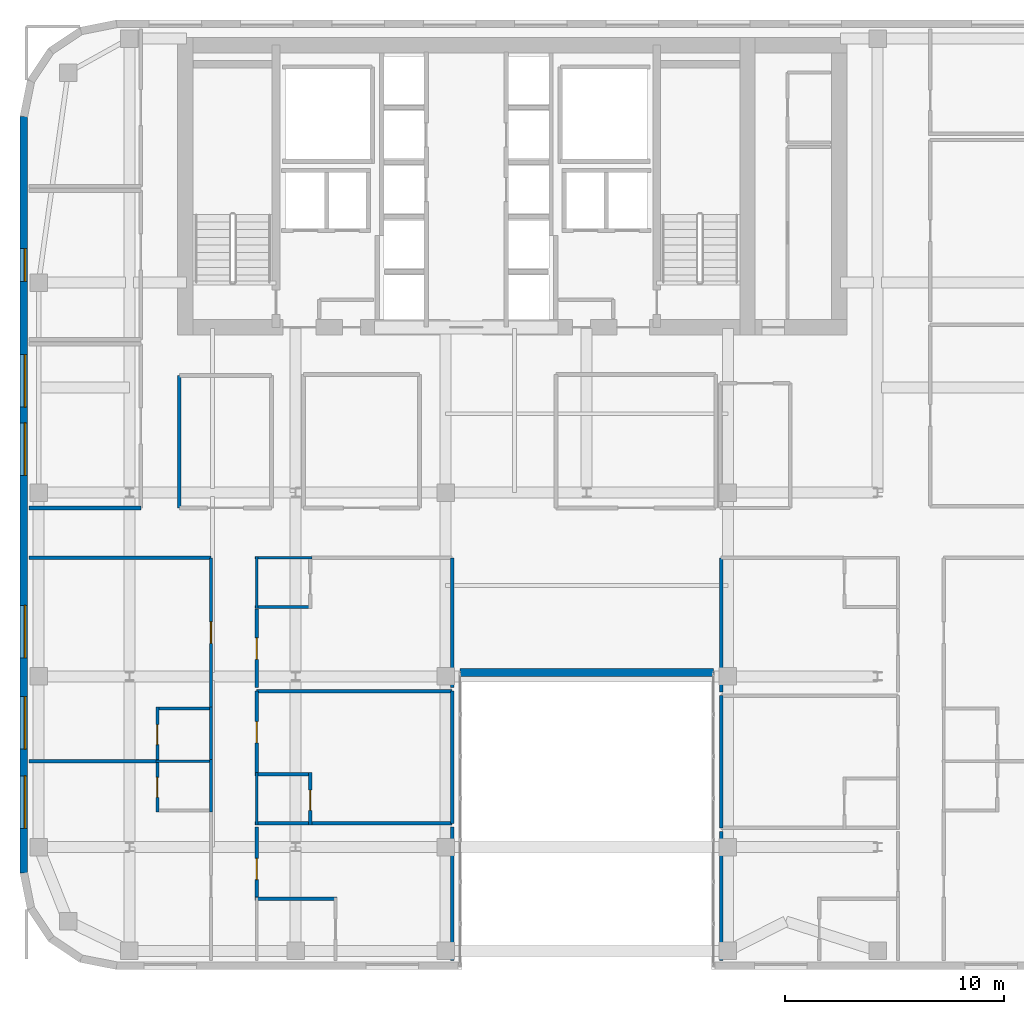
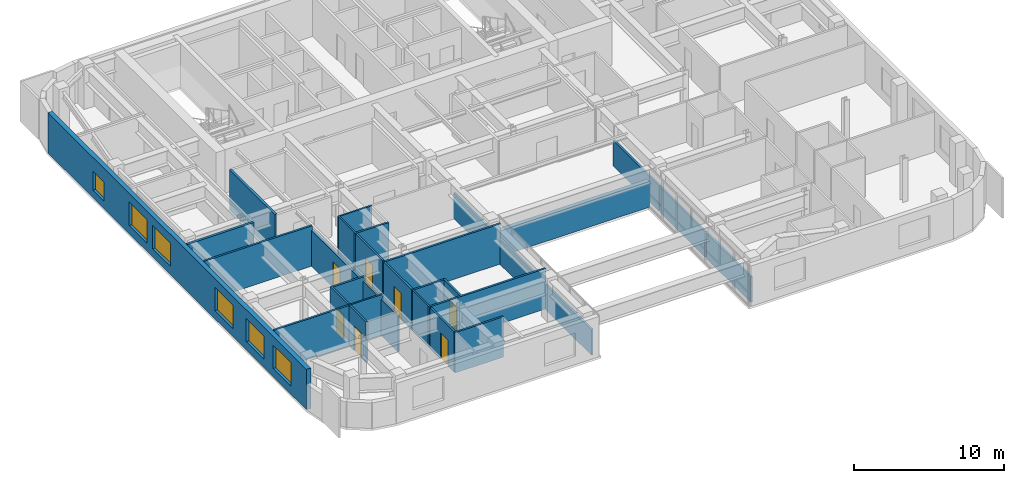
# One storey, part 7 of 13: 31 walls, 7 doors, 6 windows, 13 openings.
"""IFC4 building model written with IfcOpenShell, lengths in metres."""

from ifc_helpers import new_model, si_unit, direction, frame, frame_2d, origin, place, context, subcontext, project, spatial, rectangle, extrude, source, transform, mapped, material, layer, layer_set, type_object, type_shapes, element, fill, save


model = new_model("IFC4")

# Units and contexts
model_context = context("Model", 3, precision=1e-05, world=origin(), true_north=direction((0.0, 1.0)))
body_context = subcontext(model_context, "Body", "Model", "MODEL_VIEW")
ifc_project = project(units=[si_unit("LENGTHUNIT", "METRE"), si_unit("AREAUNIT", "SQUARE_METRE"), si_unit("VOLUMEUNIT", "CUBIC_METRE"), si_unit("PLANEANGLEUNIT", "RADIAN"), si_unit("MASSUNIT", "GRAM", prefix="KILO")], contexts=[model_context])

# Site, building, storey
site_placement = place(None, origin())
site = spatial("IfcSite", under=ifc_project, at=site_placement, CompositionType="ELEMENT")
building_placement = place(site_placement, origin())
building = spatial("IfcBuilding", under=site, at=building_placement, Name="Tolvann Quenvar Hotel", CompositionType="ELEMENT")
storey_placement = place(building_placement, frame((0.0, 0.0, 201.75)))
storey = spatial("IfcBuildingStorey", under=building, at=storey_placement, Name="L53", CompositionType="ELEMENT", Elevation=201.75)

# Wall
ifc_material_1 = material(Name="Kiln-fired red and buff architectural clay brickwork and terracotta masonry", Category="masonry")
ifc_layer_1 = layer(ifc_material_1, 0.35009765625)
ifc_layer_set_1 = layer_set([ifc_layer_1], Name="Kiln-fired red and buff architectural clay brickwork and terracotta masonry")
wall_type_1 = type_object("IfcWallType", Name="WALL_EXT_BRICK_350", PredefinedType="SOLIDWALL", material=ifc_layer_set_1)
wall_1_placement = place(storey_placement, frame((22.7099609375, 16.175048828125, 0.0), z_axis=(0.0, 0.0, 1.0), x_axis=(1.0, 0.0, 0.0)))
element("IfcWall", 1, at=wall_1_placement, inside=storey, type_object=wall_type_1, Name="Exterior Chicago Brick Wall L53-E06", PredefinedType="SOLIDWALL", context=body_context, shape_type="SweptSolid", body=[
    extrude(rectangle(XDim=11.580078125, YDim=0.35009765625, at=frame_2d((5.7900390625, 0.0))), origin(), (0.0, 0.0, 1.0), 2.080078125),
])

# Wall, openings, windows
wall_2_placement = place(storey_placement, frame((2.77490234375, 41.582763671875, 0.0), z_axis=(0.0, 0.0, 1.0), x_axis=(0.0, -1.0, 0.0)))
wall_2 = element("IfcWall", 2, at=wall_2_placement, inside=storey, type_object=wall_type_1, Name="Exterior Chicago Brick Wall L53-E23", PredefinedType="SOLIDWALL", context=body_context, shape_type="SweptSolid", body=[
    extrude(rectangle(XDim=34.565673828125, YDim=0.35009765625, at=frame_2d((17.28271484375, 0.0))), origin(), (0.0, 0.0, 1.0), 3.2900390625),
])
opening_1_placement = place(wall_2_placement, frame((10.876953125, 0.0, 0.679931640625)))
opening_1 = element("IfcOpeningElement", 3, at=opening_1_placement, cuts=wall_2, Name="Opening W-01", PredefinedType="OPENING", context=body_context, shape_type="SweptSolid", body=[
    extrude(rectangle(XDim=2.39990234375, YDim=1.89990234375, at=frame_2d((1.199951171875, 0.949951171875))), frame((0.0, 0.18505859375, 0.0), z_axis=(0.0, -1.0, 0.0), x_axis=(1.0, 0.0, 0.0)), (0.0, 0.0, 1.0), 0.3701171875),
])
opening_2_placement = place(wall_2_placement, frame((13.9970703125, 0.0, 0.679931640625)))
opening_2 = element("IfcOpeningElement", 4, at=opening_2_placement, cuts=wall_2, Name="Opening W-01", PredefinedType="OPENING", context=body_context, shape_type="SweptSolid", body=[
    extrude(rectangle(XDim=2.39990234375, YDim=1.89990234375, at=frame_2d((1.199951171875, 0.949951171875))), frame((0.0, 0.18505859375, 0.0), z_axis=(0.0, -1.0, 0.0), x_axis=(1.0, 0.0, 0.0)), (0.0, 0.0, 1.0), 0.3701171875),
])
opening_3_placement = place(wall_2_placement, frame((22.339111328125, 0.0, 0.679931640625)))
opening_3 = element("IfcOpeningElement", 5, at=opening_3_placement, cuts=wall_2, Name="Opening W-01", PredefinedType="OPENING", context=body_context, shape_type="SweptSolid", body=[
    extrude(rectangle(XDim=2.39990234375, YDim=1.89990234375, at=frame_2d((1.199951171875, 0.949951171875))), frame((0.0, 0.18505859375, 0.0), z_axis=(0.0, -1.0, 0.0), x_axis=(1.0, 0.0, 0.0)), (0.0, 0.0, 1.0), 0.3701171875),
])
opening_4_placement = place(wall_2_placement, frame((26.510009765625, 0.0, 0.679931640625)))
opening_4 = element("IfcOpeningElement", 6, at=opening_4_placement, cuts=wall_2, Name="Opening W-01", PredefinedType="OPENING", context=body_context, shape_type="SweptSolid", body=[
    extrude(rectangle(XDim=2.39990234375, YDim=1.89990234375, at=frame_2d((1.199951171875, 0.949951171875))), frame((0.0, 0.18505859375, 0.0), z_axis=(0.0, -1.0, 0.0), x_axis=(1.0, 0.0, 0.0)), (0.0, 0.0, 1.0), 0.3701171875),
])
opening_5_placement = place(wall_2_placement, frame((30.1298828125, 0.0, 0.679931640625)))
opening_5 = element("IfcOpeningElement", 7, at=opening_5_placement, cuts=wall_2, Name="Opening W-01", PredefinedType="OPENING", context=body_context, shape_type="SweptSolid", body=[
    extrude(rectangle(XDim=2.39990234375, YDim=1.89990234375, at=frame_2d((1.199951171875, 0.949951171875))), frame((0.0, 0.18505859375, 0.0), z_axis=(0.0, -1.0, 0.0), x_axis=(1.0, 0.0, 0.0)), (0.0, 0.0, 1.0), 0.3701171875),
])
opening_6_placement = place(wall_2_placement, frame((6.032958984375, 0.0, 0.6201171875)))
opening_6 = element("IfcOpeningElement", 8, at=opening_6_placement, cuts=wall_2, Name="Opening W-08", PredefinedType="OPENING", context=body_context, shape_type="SweptSolid", body=[
    extrude(rectangle(XDim=1.5, YDim=1.550048828125, at=frame_2d((0.75, 0.77490234375))), frame((0.0, 0.18505859375, 0.0), z_axis=(0.0, -1.0, 0.0), x_axis=(1.0, 0.0, 0.0)), (0.0, 0.0, 1.0), 0.3701171875),
])
ifc_material_2 = material(Name="Thermally broken bronze-anodised aluminium frame with double low-E glazing", Category="aluminium")
window_type_1 = type_object("IfcWindowType", Name="WIN_COR_1500x2050", PartitioningType="SINGLE_PANEL", PredefinedType="WINDOW", material=ifc_material_2)
shared_shape_1 = source(origin(), body_context, "Body", "SweptSolid", [
    extrude(rectangle(XDim=1.5, YDim=1.550048828125, at=frame_2d((0.75, 0.77490234375))), frame((0.0, 0.090087890625, 0.0), z_axis=(0.0, -1.0, 0.0), x_axis=(1.0, 0.0, 0.0)), (0.0, 0.0, 1.0), 0.06005859375),
])
type_shapes(window_type_1, [shared_shape_1])
window_1_placement = place(opening_6_placement, origin())
window_1 = element("IfcWindow", 9, at=window_1_placement, inside=storey, type_object=window_type_1, Name="Chicago Window W-08 (EW-L53-E23-WD06)", OverallHeight=1.550048828125, OverallWidth=1.5, PartitioningType="SINGLE_PANEL", PredefinedType="WINDOW", context=body_context, shape_type="MappedRepresentation", body=[
    mapped(shared_shape_1, transform((0.0, 0.0, 0.0), x_axis=(1.0, 0.0, 0.0), y_axis=(0.0, 1.0, 0.0), z_axis=(0.0, 0.0, 1.0), scale=1.0)),
])
fill(opening_6, window_1)
window_type_2 = type_object("IfcWindowType", Name="WIN_CHI_2400x2050", PartitioningType="TRIPLE_PANEL_HORIZONTAL", PredefinedType="WINDOW", material=ifc_material_2)
shared_shape_2 = source(origin(), body_context, "Body", "SweptSolid", [
    extrude(rectangle(XDim=2.39990234375, YDim=1.89990234375, at=frame_2d((1.199951171875, 0.949951171875))), frame((0.0, 0.090087890625, 0.0), z_axis=(0.0, -1.0, 0.0), x_axis=(1.0, 0.0, 0.0)), (0.0, 0.0, 1.0), 0.06005859375),
])
type_shapes(window_type_2, [shared_shape_2])
window_2_placement = place(opening_1_placement, origin())
window_2 = element("IfcWindow", 10, at=window_2_placement, inside=storey, type_object=window_type_2, Name="Chicago Window W-01 (EW-L53-E23-W01)", OverallHeight=1.89990234375, OverallWidth=2.39990234375, PartitioningType="TRIPLE_PANEL_HORIZONTAL", PredefinedType="WINDOW", context=body_context, shape_type="MappedRepresentation", body=[
    mapped(shared_shape_2, transform((0.0, 0.0, 0.0), x_axis=(1.0, 0.0, 0.0), y_axis=(0.0, 1.0, 0.0), z_axis=(0.0, 0.0, 1.0), scale=1.0)),
])
fill(opening_1, window_2)
window_3_placement = place(opening_2_placement, origin())
window_3 = element("IfcWindow", 11, at=window_3_placement, inside=storey, type_object=window_type_2, Name="Chicago Window W-01 (EW-L53-E23-W02)", OverallHeight=1.89990234375, OverallWidth=2.39990234375, PartitioningType="TRIPLE_PANEL_HORIZONTAL", PredefinedType="WINDOW", context=body_context, shape_type="MappedRepresentation", body=[
    mapped(shared_shape_2, transform((0.0, 0.0, 0.0), x_axis=(1.0, 0.0, 0.0), y_axis=(0.0, 1.0, 0.0), z_axis=(0.0, 0.0, 1.0), scale=1.0)),
])
fill(opening_2, window_3)
window_4_placement = place(opening_3_placement, origin())
window_4 = element("IfcWindow", 12, at=window_4_placement, inside=storey, type_object=window_type_2, Name="Chicago Window W-01 (EW-L53-E23-W03)", OverallHeight=1.89990234375, OverallWidth=2.39990234375, PartitioningType="TRIPLE_PANEL_HORIZONTAL", PredefinedType="WINDOW", context=body_context, shape_type="MappedRepresentation", body=[
    mapped(shared_shape_2, transform((0.0, 0.0, 0.0), x_axis=(1.0, 0.0, 0.0), y_axis=(0.0, 1.0, 0.0), z_axis=(0.0, 0.0, 1.0), scale=1.0)),
])
fill(opening_3, window_4)
window_5_placement = place(opening_4_placement, origin())
window_5 = element("IfcWindow", 13, at=window_5_placement, inside=storey, type_object=window_type_2, Name="Chicago Window W-01 (EW-L53-E23-W04)", OverallHeight=1.89990234375, OverallWidth=2.39990234375, PartitioningType="TRIPLE_PANEL_HORIZONTAL", PredefinedType="WINDOW", context=body_context, shape_type="MappedRepresentation", body=[
    mapped(shared_shape_2, transform((0.0, 0.0, 0.0), x_axis=(1.0, 0.0, 0.0), y_axis=(0.0, 1.0, 0.0), z_axis=(0.0, 0.0, 1.0), scale=1.0)),
])
fill(opening_4, window_5)
window_6_placement = place(opening_5_placement, origin())
window_6 = element("IfcWindow", 14, at=window_6_placement, inside=storey, type_object=window_type_2, Name="Chicago Window W-01 (EW-L53-E23-W05)", OverallHeight=1.89990234375, OverallWidth=2.39990234375, PartitioningType="TRIPLE_PANEL_HORIZONTAL", PredefinedType="WINDOW", context=body_context, shape_type="MappedRepresentation", body=[
    mapped(shared_shape_2, transform((0.0, 0.0, 0.0), x_axis=(1.0, 0.0, 0.0), y_axis=(0.0, 1.0, 0.0), z_axis=(0.0, 0.0, 1.0), scale=1.0)),
])
fill(opening_5, window_6)

# Walls
ifc_material_3 = material(Name="Acoustic twin-stud fire-rated gypsum plasterboard partition")
ifc_layer_2 = layer(ifc_material_3, 0.179931640625)
ifc_layer_set_2 = layer_set([ifc_layer_2], Name="Acoustic twin-stud fire-rated gypsum plasterboard partition")
wall_type_2 = type_object("IfcWallType", Name="WALL_PART_ACOUSTIC_180", PredefinedType="PARTITIONING", material=ifc_layer_set_2)
wall_3_placement = place(storey_placement, frame((3.0048828125, 23.699951171875, 0.0), z_axis=(0.0, 0.0, 1.0), x_axis=(1.0, 0.0, 0.0)))
element("IfcWall", 15, at=wall_3_placement, inside=storey, type_object=wall_type_2, Name="Interior Partition PT-SPC-L53-SAL-S", PredefinedType="PARTITIONING", context=body_context, shape_type="SweptSolid", body=[
    extrude(rectangle(XDim=5.115234375, YDim=0.179931640625, at=frame_2d((2.5576171875, 0.0))), origin(), (0.0, 0.0, 1.0), 3.2900390625),
])
wall_4_placement = place(storey_placement, frame((9.8798828125, 23.699951171875, 0.0), z_axis=(0.0, 0.0, 1.0), x_axis=(0.0, 1.0, 0.0)))
element("IfcWall", 16, at=wall_4_placement, inside=storey, type_object=wall_type_2, Name="Interior Partition PT-SPC-L53-MSP-W-W", PredefinedType="PARTITIONING", context=body_context, shape_type="SweptSolid", body=[
    extrude(rectangle(XDim=6.050048828125, YDim=0.179931640625, at=frame_2d((3.02490234375, 0.0))), origin(), (0.0, 0.0, 1.0), 3.2900390625),
])
ifc_material_4 = material(Name="Moisture-resistant acoustic plumbing wall assembly")
ifc_layer_3 = layer(ifc_material_4, 0.1201171875)
ifc_layer_set_3 = layer_set([ifc_layer_3], Name="Moisture-resistant acoustic plumbing wall assembly")
wall_type_3 = type_object("IfcWallType", Name="WALL_PART_BATH_120", PredefinedType="PLUMBINGWALL", material=ifc_layer_set_3)
wall_5_placement = place(storey_placement, frame((8.81005859375, 12.1201171875, 0.0), z_axis=(0.0, 0.0, 1.0), x_axis=(1.0, 0.0, 0.0)))
element("IfcWall", 17, at=wall_5_placement, inside=storey, type_object=wall_type_3, Name="Non-Rated Plumbing Partition PT-SPC-L53-ENS-WO01-N", PredefinedType="PLUMBINGWALL", context=body_context, shape_type="SweptSolid", body=[
    extrude(rectangle(XDim=2.58984375, YDim=0.1201171875, at=frame_2d((1.294921875, 0.0))), origin(), (0.0, 0.0, 1.0), 3.2900390625),
])
wall_6_placement = place(storey_placement, frame((11.330078125, 9.800048828125, 0.0), z_axis=(0.0, 0.0, 1.0), x_axis=(0.0, 1.0, 0.0)))
element("IfcWall", 18, at=wall_6_placement, inside=storey, type_object=wall_type_3, Name="Non-Rated Plumbing Partition PT-SPC-L53-ENS-WO01-E", PredefinedType="PLUMBINGWALL", context=body_context, shape_type="SweptSolid", body=[
    extrude(rectangle(XDim=2.389892578125, YDim=0.1201171875, at=frame_2d((1.19482421875, 0.0))), origin(), (0.0, 0.0, 1.0), 2.9208984375),
])
wall_7_placement = place(storey_placement, frame((11.330078125, 12.2099609375, 0.0), z_axis=(0.0, 0.0, 1.0), x_axis=(0.0, 1.0, 0.0)))
element("IfcWall", 19, at=wall_7_placement, inside=storey, type_object=wall_type_3, Name="Non-Rated Plumbing Partition PT-SPC-L53-ENS-WO02-E", PredefinedType="PLUMBINGWALL", context=body_context, shape_type="SweptSolid", body=[
    extrude(rectangle(XDim=2.39013671875, YDim=0.1201171875, at=frame_2d((1.195068359375, 0.0))), origin(), (0.0, 0.0, 1.0), 2.9208984375),
])
wall_8_placement = place(storey_placement, frame((13.419921875, 9.2099609375, 0.0), z_axis=(0.0, 0.0, 1.0), x_axis=(0.0, 1.0, 0.0)))
element("IfcWall", 20, at=wall_8_placement, inside=storey, type_object=wall_type_3, Name="Non-Rated Plumbing Partition PT-SPC-L53-ENS-WI02-W", PredefinedType="PLUMBINGWALL", context=body_context, shape_type="SweptSolid", body=[
    extrude(rectangle(XDim=2.39013671875, YDim=0.1201171875, at=frame_2d((1.195068359375, 0.0))), origin(), (0.0, 0.0, 1.0), 3.2900390625),
])
wall_9_placement = place(storey_placement, frame((13.35009765625, 21.419921875, 0.0), z_axis=(0.0, 0.0, 1.0), x_axis=(1.0, 0.0, 0.0)))
element("IfcWall", 21, at=wall_9_placement, inside=storey, type_object=wall_type_3, Name="Non-Rated Plumbing Partition PT-SPC-L53-ENS-WI03-N", PredefinedType="PLUMBINGWALL", context=body_context, shape_type="SweptSolid", body=[
    extrude(rectangle(XDim=2.58984375, YDim=0.1201171875, at=frame_2d((1.294921875, 0.0))), origin(), (0.0, 0.0, 1.0), 3.2900390625),
])
wall_10_placement = place(storey_placement, frame((13.419921875, 19.10009765625, 0.0), z_axis=(0.0, 0.0, 1.0), x_axis=(0.0, 1.0, 0.0)))
element("IfcWall", 22, at=wall_10_placement, inside=storey, type_object=wall_type_3, Name="Non-Rated Plumbing Partition PT-SPC-L53-ENS-WI03-W", PredefinedType="PLUMBINGWALL", context=body_context, shape_type="SweptSolid", body=[
    extrude(rectangle(XDim=2.389892578125, YDim=0.1201171875, at=frame_2d((1.19482421875, 0.0))), origin(), (0.0, 0.0, 1.0), 3.2900390625),
])

# Wall, opening, door
ifc_layer_4 = layer(ifc_material_3, 0.14990234375)
ifc_layer_set_4 = layer_set([ifc_layer_4], Name="Acoustic twin-stud fire-rated gypsum plasterboard partition")
wall_type_4 = type_object("IfcWallType", Name="WALL_PART_SUITE_150", PredefinedType="PARTITIONING", material=ifc_layer_set_4)
wall_11_placement = place(storey_placement, frame((8.8798828125, 9.800048828125, 0.0), z_axis=(0.0, 0.0, 1.0), x_axis=(0.0, 1.0, 0.0)))
wall_11 = element("IfcWall", 23, at=wall_11_placement, inside=storey, type_object=wall_type_4, Name="Interior Partition PT-SPC-L53-ENS-WO01-ENT", PredefinedType="PARTITIONING", context=body_context, shape_type="SweptSolid", body=[
    extrude(rectangle(XDim=2.389892578125, YDim=0.14990234375, at=frame_2d((1.19482421875, 0.0))), origin(), (0.0, 0.0, 1.0), 3.2900390625),
])
opening_7_placement = place(wall_11_placement, frame((0.6650390625, 0.0, 0.0)))
opening_7 = element("IfcOpeningElement", 24, at=opening_7_placement, cuts=wall_11, Name="Opening WD-01", PredefinedType="OPENING", context=body_context, shape_type="SweptSolid", body=[
    extrude(rectangle(XDim=0.919921875, YDim=2.010009765625, at=frame_2d((0.4599609375, 1.0048828125))), frame((0.0, 0.0849609375, 0.0), z_axis=(0.0, -1.0, 0.0), x_axis=(1.0, 0.0, 0.0)), (0.0, 0.0, 1.0), 0.169921875),
])
ifc_material_5 = material(Name="Solid-core American oak acoustic fire door leaf in steel frame", Category="steel")
door_type_1 = type_object("IfcDoorType", Name="DOOR_WC_920", OperationType="NOTDEFINED", PredefinedType="DOOR", material=ifc_material_5)
shared_shape_3 = source(origin(), body_context, "Body", "SweptSolid", [
    extrude(rectangle(XDim=0.919921875, YDim=2.010009765625, at=frame_2d((0.4599609375, 1.0048828125))), frame((0.0, 0.02490234375, 0.0), z_axis=(0.0, -1.0, 0.0), x_axis=(1.0, 0.0, 0.0)), (0.0, 0.0, 1.0), 0.050048828125),
])
type_shapes(door_type_1, [shared_shape_3])
door_1_placement = place(opening_7_placement, origin())
door_1 = element("IfcDoor", 25, at=door_1_placement, inside=storey, type_object=door_type_1, Name="Interior Door DOOR-SPC-L53-ENS-WO01", OperationType="SINGLE_SWING_LEFT", OverallHeight=2.010009765625, OverallWidth=0.919921875, PredefinedType="DOOR", context=body_context, shape_type="MappedRepresentation", body=[
    mapped(shared_shape_3, transform((0.0, 0.0, 0.0), x_axis=(1.0, 0.0, 0.0), y_axis=(0.0, 1.0, 0.0), z_axis=(0.0, 0.0, 1.0), scale=1.0)),
])
fill(opening_7, door_1)

wall_12_placement = place(storey_placement, frame((8.8798828125, 12.2099609375, 0.0), z_axis=(0.0, 0.0, 1.0), x_axis=(0.0, 1.0, 0.0)))
wall_12 = element("IfcWall", 26, at=wall_12_placement, inside=storey, type_object=wall_type_4, Name="Interior Partition PT-SPC-L53-ENS-WO02-ENT", PredefinedType="PARTITIONING", context=body_context, shape_type="SweptSolid", body=[
    extrude(rectangle(XDim=2.39013671875, YDim=0.14990234375, at=frame_2d((1.195068359375, 0.0))), origin(), (0.0, 0.0, 1.0), 3.2900390625),
])
opening_8_placement = place(wall_12_placement, frame((0.6650390625, 0.0, 0.0)))
opening_8 = element("IfcOpeningElement", 27, at=opening_8_placement, cuts=wall_12, Name="Opening WD-01", PredefinedType="OPENING", context=body_context, shape_type="SweptSolid", body=[
    extrude(rectangle(XDim=0.919921875, YDim=2.010009765625, at=frame_2d((0.4599609375, 1.0048828125))), frame((0.0, 0.0849609375, 0.0), z_axis=(0.0, -1.0, 0.0), x_axis=(1.0, 0.0, 0.0)), (0.0, 0.0, 1.0), 0.169921875),
])
door_2_placement = place(opening_8_placement, origin())
door_2 = element("IfcDoor", 28, at=door_2_placement, inside=storey, type_object=door_type_1, Name="Interior Door DOOR-SPC-L53-ENS-WO02", OperationType="SINGLE_SWING_RIGHT", OverallHeight=2.010009765625, OverallWidth=0.919921875, PredefinedType="DOOR", context=body_context, shape_type="MappedRepresentation", body=[
    mapped(shared_shape_3, transform((0.0, 0.0, 0.0), x_axis=(1.0, 0.0, 0.0), y_axis=(0.0, 1.0, 0.0), z_axis=(0.0, 0.0, 1.0), scale=1.0)),
])
fill(opening_8, door_2)

# Walls
wall_13_placement = place(storey_placement, frame((8.81005859375, 14.530029296875, 0.0), z_axis=(0.0, 0.0, 1.0), x_axis=(1.0, 0.0, 0.0)))
element("IfcWall", 29, at=wall_13_placement, inside=storey, type_object=wall_type_4, Name="Interior Partition PT-SPC-L53-ENS-WO02-N", PredefinedType="PARTITIONING", context=body_context, shape_type="SweptSolid", body=[
    extrude(rectangle(XDim=2.58984375, YDim=0.14990234375, at=frame_2d((1.294921875, 0.0))), origin(), (0.0, 0.0, 1.0), 3.2900390625),
])
wall_14_placement = place(storey_placement, frame((13.35009765625, 5.830078125, 0.0), z_axis=(0.0, 0.0, 1.0), x_axis=(1.0, 0.0, 0.0)))
element("IfcWall", 30, at=wall_14_placement, inside=storey, type_object=wall_type_4, Name="Interior Partition PT-SPC-L53-ENS-WI01-N", PredefinedType="PARTITIONING", context=body_context, shape_type="SweptSolid", body=[
    extrude(rectangle(XDim=3.739990234375, YDim=0.14990234375, at=frame_2d((1.8701171875, 0.0))), origin(), (0.0, 0.0, 1.0), 3.2900390625),
])

# Wall, opening, door
wall_15_placement = place(storey_placement, frame((15.8701171875, 9.2099609375, 0.0), z_axis=(0.0, 0.0, 1.0), x_axis=(0.0, 1.0, 0.0)))
wall_15 = element("IfcWall", 31, at=wall_15_placement, inside=storey, type_object=wall_type_4, Name="Interior Partition PT-SPC-L53-ENS-WI02-ENT", PredefinedType="PARTITIONING", context=body_context, shape_type="SweptSolid", body=[
    extrude(rectangle(XDim=2.39013671875, YDim=0.14990234375, at=frame_2d((1.195068359375, 0.0))), origin(), (0.0, 0.0, 1.0), 3.2900390625),
])
opening_9_placement = place(wall_15_placement, frame((0.6650390625, 0.0, 0.0)))
opening_9 = element("IfcOpeningElement", 32, at=opening_9_placement, cuts=wall_15, Name="Opening WD-01", PredefinedType="OPENING", context=body_context, shape_type="SweptSolid", body=[
    extrude(rectangle(XDim=0.919921875, YDim=2.010009765625, at=frame_2d((0.4599609375, 1.0048828125))), frame((0.0, 0.0849609375, 0.0), z_axis=(0.0, -1.0, 0.0), x_axis=(1.0, 0.0, 0.0)), (0.0, 0.0, 1.0), 0.169921875),
])
door_3_placement = place(opening_9_placement, origin())
door_3 = element("IfcDoor", 33, at=door_3_placement, inside=storey, type_object=door_type_1, Name="Interior Door DOOR-SPC-L53-ENS-WI02", OperationType="SINGLE_SWING_RIGHT", OverallHeight=2.010009765625, OverallWidth=0.919921875, PredefinedType="DOOR", context=body_context, shape_type="MappedRepresentation", body=[
    mapped(shared_shape_3, transform((0.0, 0.0, 0.0), x_axis=(1.0, 0.0, 0.0), y_axis=(0.0, 1.0, 0.0), z_axis=(0.0, 0.0, 1.0), scale=1.0)),
])
fill(opening_9, door_3)

# Walls
wall_16_placement = place(storey_placement, frame((13.35009765625, 9.280029296875, 0.0), z_axis=(0.0, 0.0, 1.0), x_axis=(1.0, 0.0, 0.0)))
element("IfcWall", 34, at=wall_16_placement, inside=storey, type_object=wall_type_4, Name="Interior Partition PT-SPC-L53-ENS-WI02-S", PredefinedType="PARTITIONING", context=body_context, shape_type="SweptSolid", body=[
    extrude(rectangle(XDim=9.0, YDim=0.14990234375, at=frame_2d((4.5, 0.0))), origin(), (0.0, 0.0, 1.0), 3.2900390625),
])
for number, where, z_axis, x_axis, name in (
    (35, (13.35009765625, 11.530029296875, 0.0), (0.0, 0.0, 1.0), (1.0, 0.0, 0.0), "Interior Partition PT-SPC-L53-ENS-WI02-N"),
    (36, (13.35009765625, 19.169921875, 0.0), (0.0, 0.0, 1.0), (1.0, 0.0, 0.0), "Interior Partition PT-SPC-L53-ENS-WI03-S"),
):
    element("IfcWall", number, at=place(storey_placement, frame(where, z_axis=z_axis, x_axis=x_axis)), inside=storey, type_object=wall_type_4, Name=name, PredefinedType="PARTITIONING", context=body_context, shape_type="SweptSolid", body=[
        extrude(rectangle(XDim=2.58984375, YDim=0.14990234375, at=frame_2d((1.294921875, 0.0))), origin(), (0.0, 0.0, 1.0), 3.2900390625),
    ])
wall_17_placement = place(storey_placement, frame((3.0048828125, 12.1201171875, 0.0), z_axis=(0.0, 0.0, 1.0), x_axis=(1.0, 0.0, 0.0)))
element("IfcWall", 37, at=wall_17_placement, inside=storey, type_object=wall_type_4, Name="Interior Partition PT-SPC-L53-RM-WO01-E5", PredefinedType="PARTITIONING", context=body_context, shape_type="SweptSolid", body=[
    extrude(rectangle(XDim=5.855224609375, YDim=0.14990234375, at=frame_2d((2.927734375, 0.0))), origin(), (0.0, 0.0, 1.0), 3.2900390625),
])

# Wall, opening, door
wall_18_placement = place(storey_placement, frame((11.330078125, 14.610107421875, 0.0), z_axis=(0.0, 0.0, 1.0), x_axis=(0.0, 1.0, 0.0)))
wall_18 = element("IfcWall", 38, at=wall_18_placement, inside=storey, type_object=wall_type_4, Name="Interior Partition PT-SPC-L53-RM-WO02-ENT", PredefinedType="PARTITIONING", context=body_context, shape_type="SweptSolid", body=[
    extrude(rectangle(XDim=6.809814453125, YDim=0.14990234375, at=frame_2d((3.40478515625, 0.0))), origin(), (0.0, 0.0, 1.0), 2.9208984375),
])
opening_10_placement = place(wall_18_placement, frame((2.89501953125, 0.0, 0.0)))
opening_10 = element("IfcOpeningElement", 39, at=opening_10_placement, cuts=wall_18, Name="Opening SD-01", PredefinedType="OPENING", context=body_context, shape_type="SweptSolid", body=[
    extrude(rectangle(XDim=0.97998046875, YDim=2.1201171875, at=frame_2d((0.489990234375, 1.06005859375))), frame((0.0, 0.0849609375, 0.0), z_axis=(0.0, -1.0, 0.0), x_axis=(1.0, 0.0, 0.0)), (0.0, 0.0, 1.0), 0.169921875),
])
door_type_2 = type_object("IfcDoorType", Name="DOOR_SUITE_980", OperationType="NOTDEFINED", PredefinedType="DOOR", material=ifc_material_5)
shared_shape_4 = source(origin(), body_context, "Body", "SweptSolid", [
    extrude(rectangle(XDim=0.97998046875, YDim=2.1201171875, at=frame_2d((0.489990234375, 1.06005859375))), frame((0.0, 0.02490234375, 0.0), z_axis=(0.0, -1.0, 0.0), x_axis=(1.0, 0.0, 0.0)), (0.0, 0.0, 1.0), 0.050048828125),
])
type_shapes(door_type_2, [shared_shape_4])
door_4_placement = place(opening_10_placement, origin())
door_4 = element("IfcDoor", 40, at=door_4_placement, inside=storey, type_object=door_type_2, Name="Interior Door DOOR-SPC-L53-RM-WO02", OperationType="SINGLE_SWING_RIGHT", OverallHeight=2.1201171875, OverallWidth=0.97998046875, PredefinedType="DOOR", context=body_context, shape_type="MappedRepresentation", body=[
    mapped(shared_shape_4, transform((0.0, 0.0, 0.0), x_axis=(1.0, 0.0, 0.0), y_axis=(0.0, 1.0, 0.0), z_axis=(0.0, 0.0, 1.0), scale=1.0)),
])
fill(opening_10, door_4)

# Wall
wall_19_placement = place(storey_placement, frame((3.0048828125, 21.419921875, 0.0), z_axis=(0.0, 0.0, 1.0), x_axis=(1.0, 0.0, 0.0)))
element("IfcWall", 41, at=wall_19_placement, inside=storey, type_object=wall_type_4, Name="Interior Partition PT-SPC-L53-RM-WO02-E5", PredefinedType="PARTITIONING", context=body_context, shape_type="SweptSolid", body=[
    extrude(rectangle(XDim=8.3251953125, YDim=0.14990234375, at=frame_2d((4.16259765625, 0.0))), origin(), (0.0, 0.0, 1.0), 3.2900390625),
])

# Wall, opening, door
wall_20_placement = place(storey_placement, frame((13.419921875, 5.909912109375, 0.0), z_axis=(0.0, 0.0, 1.0), x_axis=(0.0, 1.0, 0.0)))
wall_20 = element("IfcWall", 42, at=wall_20_placement, inside=storey, type_object=wall_type_4, Name="Interior Partition PT-SPC-L53-RM-WI01-ENT", PredefinedType="PARTITIONING", context=body_context, shape_type="SweptSolid", body=[
    extrude(rectangle(XDim=3.210205078125, YDim=0.14990234375, at=frame_2d((1.60498046875, 0.0))), origin(), (0.0, 0.0, 1.0), 3.2900390625),
])
opening_11_placement = place(wall_20_placement, frame((0.794921875, 0.0, 0.0)))
opening_11 = element("IfcOpeningElement", 43, at=opening_11_placement, cuts=wall_20, Name="Opening SD-01", PredefinedType="OPENING", context=body_context, shape_type="SweptSolid", body=[
    extrude(rectangle(XDim=0.97998046875, YDim=2.1201171875, at=frame_2d((0.489990234375, 1.06005859375))), frame((0.0, 0.0849609375, 0.0), z_axis=(0.0, -1.0, 0.0), x_axis=(1.0, 0.0, 0.0)), (0.0, 0.0, 1.0), 0.169921875),
])
door_5_placement = place(opening_11_placement, origin())
door_5 = element("IfcDoor", 44, at=door_5_placement, inside=storey, type_object=door_type_2, Name="Interior Door DOOR-SPC-L53-RM-WI01", OperationType="SINGLE_SWING_LEFT", OverallHeight=2.1201171875, OverallWidth=0.97998046875, PredefinedType="DOOR", context=body_context, shape_type="MappedRepresentation", body=[
    mapped(shared_shape_4, transform((0.0, 0.0, 0.0), x_axis=(1.0, 0.0, 0.0), y_axis=(0.0, 1.0, 0.0), z_axis=(0.0, 0.0, 1.0), scale=1.0)),
])
fill(opening_11, door_5)

# Wall
wall_21_placement = place(storey_placement, frame((22.35009765625, 3.0048828125, 0.0), z_axis=(0.0, 0.0, 1.0), x_axis=(0.0, 1.0, 0.0)))
element("IfcWall", 45, at=wall_21_placement, inside=storey, type_object=wall_type_4, Name="Interior Partition PT-SPC-L53-RM-WI01-E4", PredefinedType="PARTITIONING", context=body_context, shape_type="SweptSolid", body=[
    extrude(rectangle(XDim=6.115234375, YDim=0.14990234375, at=frame_2d((3.0576171875, 0.0))), origin(), (0.0, 0.0, 1.0), 2.080078125),
])

# Wall, opening, door
wall_22_placement = place(storey_placement, frame((13.419921875, 11.610107421875, 0.0), z_axis=(0.0, 0.0, 1.0), x_axis=(0.0, 1.0, 0.0)))
wall_22 = element("IfcWall", 46, at=wall_22_placement, inside=storey, type_object=wall_type_4, Name="Interior Partition PT-SPC-L53-RM-WI02-ENT", PredefinedType="PARTITIONING", context=body_context, shape_type="SweptSolid", body=[
    extrude(rectangle(XDim=3.7099609375, YDim=0.14990234375, at=frame_2d((1.85498046875, 0.0))), origin(), (0.0, 0.0, 1.0), 3.2900390625),
])
opening_12_placement = place(wall_22_placement, frame((1.344970703125, 0.0, 0.0)))
opening_12 = element("IfcOpeningElement", 47, at=opening_12_placement, cuts=wall_22, Name="Opening SD-01", PredefinedType="OPENING", context=body_context, shape_type="SweptSolid", body=[
    extrude(rectangle(XDim=0.97998046875, YDim=2.1201171875, at=frame_2d((0.489990234375, 1.06005859375))), frame((0.0, 0.0849609375, 0.0), z_axis=(0.0, -1.0, 0.0), x_axis=(1.0, 0.0, 0.0)), (0.0, 0.0, 1.0), 0.169921875),
])
door_6_placement = place(opening_12_placement, origin())
door_6 = element("IfcDoor", 48, at=door_6_placement, inside=storey, type_object=door_type_2, Name="Interior Door DOOR-SPC-L53-RM-WI02", OperationType="SINGLE_SWING_RIGHT", OverallHeight=2.1201171875, OverallWidth=0.97998046875, PredefinedType="DOOR", context=body_context, shape_type="MappedRepresentation", body=[
    mapped(shared_shape_4, transform((0.0, 0.0, 0.0), x_axis=(1.0, 0.0, 0.0), y_axis=(0.0, 1.0, 0.0), z_axis=(0.0, 0.0, 1.0), scale=1.0)),
])
fill(opening_12, door_6)

# Walls
wall_23_placement = place(storey_placement, frame((22.35009765625, 9.280029296875, 0.0), z_axis=(0.0, 0.0, 1.0), x_axis=(0.0, 1.0, 0.0)))
element("IfcWall", 49, at=wall_23_placement, inside=storey, type_object=wall_type_4, Name="Interior Partition PT-SPC-L53-RM-WI02-E4", PredefinedType="PARTITIONING", context=body_context, shape_type="SweptSolid", body=[
    extrude(rectangle(XDim=6.0400390625, YDim=0.14990234375, at=frame_2d((3.02001953125, 0.0))), origin(), (0.0, 0.0, 1.0), 2.080078125),
])
wall_24_placement = place(storey_placement, frame((13.419921875, 15.320068359375, 0.0), z_axis=(0.0, 0.0, 1.0), x_axis=(1.0, 0.0, 0.0)))
element("IfcWall", 50, at=wall_24_placement, inside=storey, type_object=wall_type_4, Name="Interior Partition PT-SPC-L53-RM-WI02-E5", PredefinedType="PARTITIONING", context=body_context, shape_type="SweptSolid", body=[
    extrude(rectangle(XDim=8.93017578125, YDim=0.14990234375, at=frame_2d((4.465087890625, 0.0))), origin(), (0.0, 0.0, 1.0), 3.2900390625),
])

# Wall, opening, door
wall_25_placement = place(storey_placement, frame((13.419921875, 15.47998046875, 0.0), z_axis=(0.0, 0.0, 1.0), x_axis=(0.0, 1.0, 0.0)))
wall_25 = element("IfcWall", 51, at=wall_25_placement, inside=storey, type_object=wall_type_4, Name="Interior Partition PT-SPC-L53-RM-WI03-ENT", PredefinedType="PARTITIONING", context=body_context, shape_type="SweptSolid", body=[
    extrude(rectangle(XDim=3.610107421875, YDim=0.14990234375, at=frame_2d((1.80517578125, 0.0))), origin(), (0.0, 0.0, 1.0), 3.2900390625),
])
opening_13_placement = place(wall_25_placement, frame((1.294921875, 0.0, 0.0)))
opening_13 = element("IfcOpeningElement", 52, at=opening_13_placement, cuts=wall_25, Name="Opening SD-01", PredefinedType="OPENING", context=body_context, shape_type="SweptSolid", body=[
    extrude(rectangle(XDim=0.97998046875, YDim=2.1201171875, at=frame_2d((0.489990234375, 1.06005859375))), frame((0.0, 0.0849609375, 0.0), z_axis=(0.0, -1.0, 0.0), x_axis=(1.0, 0.0, 0.0)), (0.0, 0.0, 1.0), 0.169921875),
])
door_7_placement = place(opening_13_placement, origin())
door_7 = element("IfcDoor", 53, at=door_7_placement, inside=storey, type_object=door_type_2, Name="Interior Door DOOR-SPC-L53-RM-WI03", OperationType="SINGLE_SWING_LEFT", OverallHeight=2.1201171875, OverallWidth=0.97998046875, PredefinedType="DOOR", context=body_context, shape_type="MappedRepresentation", body=[
    mapped(shared_shape_4, transform((0.0, 0.0, 0.0), x_axis=(1.0, 0.0, 0.0), y_axis=(0.0, 1.0, 0.0), z_axis=(0.0, 0.0, 1.0), scale=1.0)),
])
fill(opening_13, door_7)

# Walls
wall_26_placement = place(storey_placement, frame((22.35009765625, 15.47998046875, 0.0), z_axis=(0.0, 0.0, 1.0), x_axis=(0.0, 1.0, 0.0)))
element("IfcWall", 54, at=wall_26_placement, inside=storey, type_object=wall_type_4, Name="Interior Partition PT-SPC-L53-RM-WI03-E2", PredefinedType="PARTITIONING", context=body_context, shape_type="SweptSolid", body=[
    extrude(rectangle(XDim=5.93994140625, YDim=0.14990234375, at=frame_2d((2.969970703125, 0.0))), origin(), (0.0, 0.0, 1.0), 2.080078125),
])
wall_27_placement = place(storey_placement, frame((34.64990234375, 3.0048828125, 0.0), z_axis=(0.0, 0.0, 1.0), x_axis=(0.0, 1.0, 0.0)))
element("IfcWall", 55, at=wall_27_placement, inside=storey, type_object=wall_type_4, Name="Interior Partition PT-SPC-L53-RM-EI01-E6", PredefinedType="PARTITIONING", context=body_context, shape_type="SweptSolid", body=[
    extrude(rectangle(XDim=5.9150390625, YDim=0.14990234375, at=frame_2d((2.95751953125, 0.0))), origin(), (0.0, 0.0, 1.0), 2.080078125),
])
wall_28_placement = place(storey_placement, frame((34.64990234375, 9.080078125, 0.0), z_axis=(0.0, 0.0, 1.0), x_axis=(0.0, 1.0, 0.0)))
element("IfcWall", 56, at=wall_28_placement, inside=storey, type_object=wall_type_4, Name="Interior Partition PT-SPC-L53-RM-EI02-E6", PredefinedType="PARTITIONING", context=body_context, shape_type="SweptSolid", body=[
    extrude(rectangle(XDim=6.0400390625, YDim=0.14990234375, at=frame_2d((3.02001953125, 0.0))), origin(), (0.0, 0.0, 1.0), 2.080078125),
])
wall_29_placement = place(storey_placement, frame((34.64990234375, 15.280029296875, 0.0), z_axis=(0.0, 0.0, 1.0), x_axis=(0.0, 1.0, 0.0)))
element("IfcWall", 57, at=wall_29_placement, inside=storey, type_object=wall_type_4, Name="Interior Partition PT-SPC-L53-RM-EI03-E6", PredefinedType="PARTITIONING", context=body_context, shape_type="SweptSolid", body=[
    extrude(rectangle(XDim=6.139892578125, YDim=0.14990234375, at=frame_2d((3.06982421875, 0.0))), origin(), (0.0, 0.0, 1.0), 2.080078125),
])

save(model, "model.ifc")
